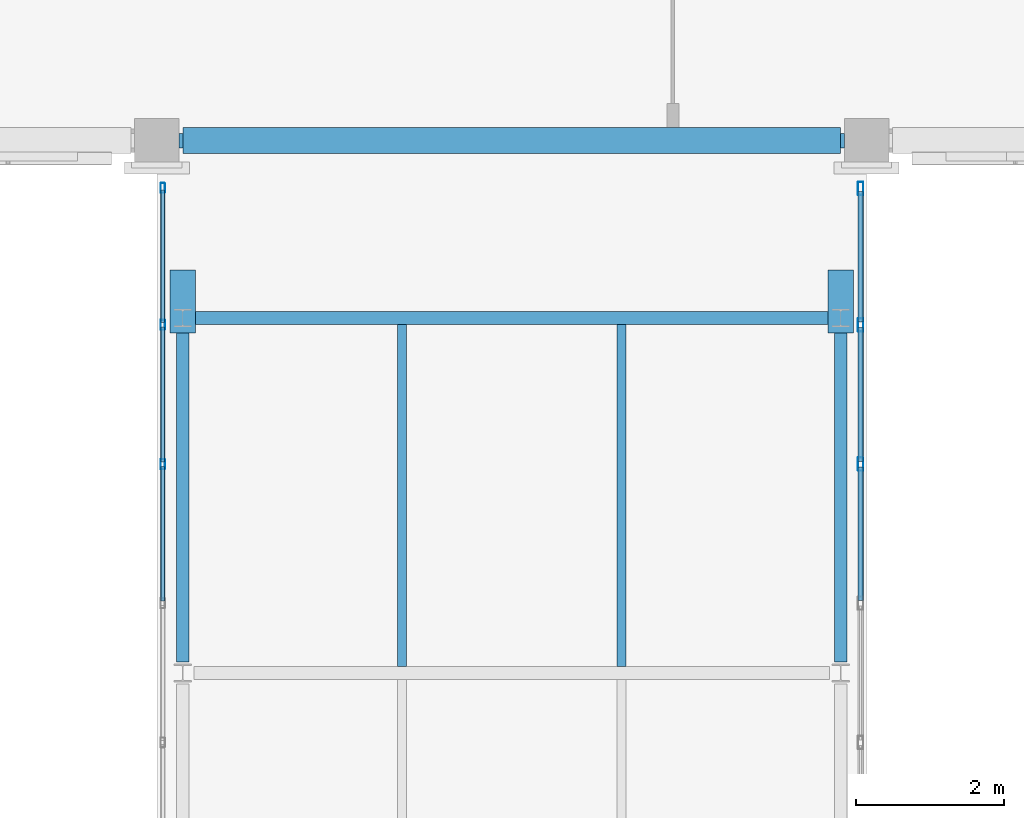
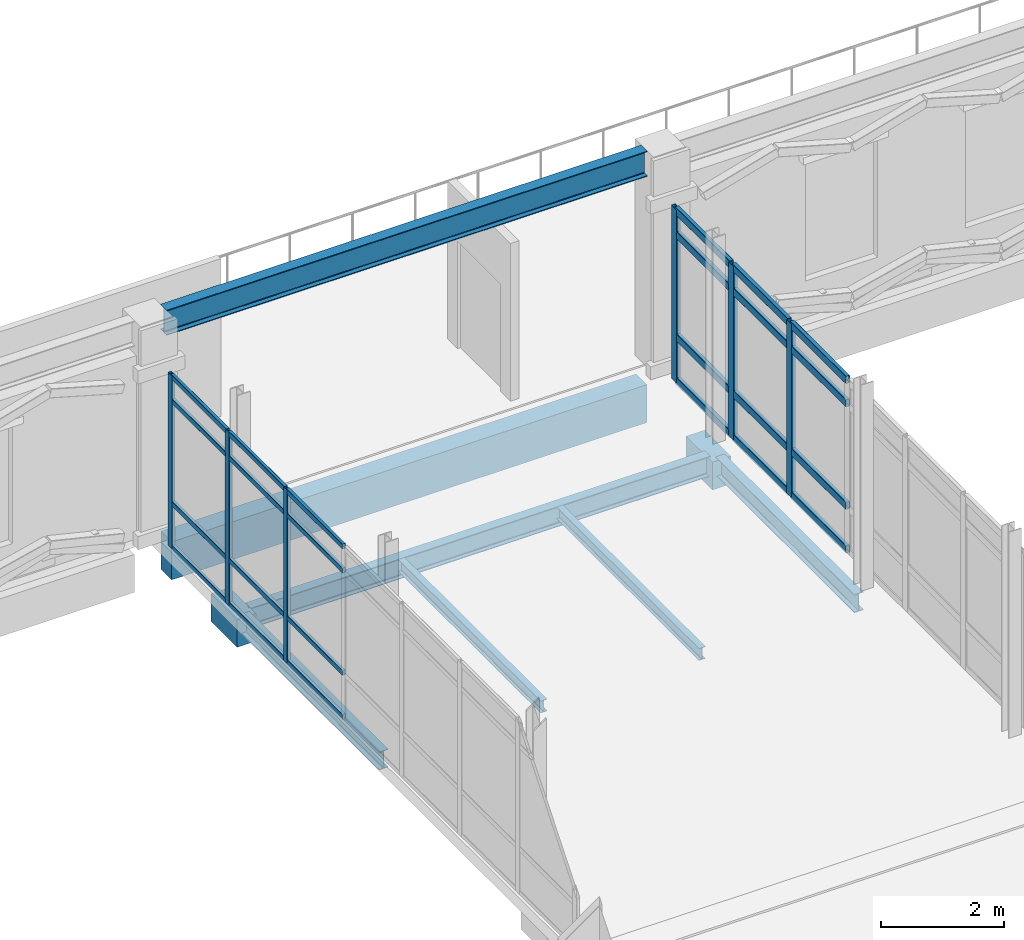
# One storey, part 112 of 180: 30 members, 9 beams, 2 elements without a shape of their own.
"""IFC4 building model written with IfcOpenShell, lengths in metres."""

import ifcopenshell
import ifcopenshell.guid

model = None  # the IFC model being written
_history = None  # IfcOwnerHistory: only IFC2X3 demands one
_inside = {}  # id of a spatial element -> (the spatial element, [elements in it])
_under = {}  # id of a project, library or spatial element -> (it, [spatial elements below it])
_declared = {}  # id of a project -> (the project, [libraries it declares])
_typed = {}  # id of a type object -> (the type object, [elements of that type])
_made_of = {}  # id of a material, layer set ... -> (it, [elements and type objects made of it])


def new_model(schema):
    """Start an empty IFC model of exactly this schema.

    Asked for "IFC4X3", IfcOpenShell would pick the latest addendum, in which some entities
    have other attributes; the version numbers below select the first issue.
    IFC2X3 requires an IfcOwnerHistory on every rooted entity: one is made here for all.
    """
    global model, _history
    if schema == "IFC4X3":
        model = ifcopenshell.file(schema_version=(4, 3, 0, 0))
    else:
        model = ifcopenshell.file(schema=schema)
    _inside.clear()
    _under.clear()
    _declared.clear()
    _typed.clear()
    _made_of.clear()
    _history = None
    if model.schema == "IFC2X3":
        org = make("IfcOrganization", Name="unknown")
        user = make(
            "IfcPersonAndOrganization",
            ThePerson=make("IfcPerson", FamilyName="unknown"),
            TheOrganization=org,
        )
        app = make(
            "IfcApplication",
            ApplicationDeveloper=org,
            Version="unknown",
            ApplicationFullName="unknown",
            ApplicationIdentifier="unknown",
        )
        _history = make(
            "IfcOwnerHistory",
            OwningUser=user,
            OwningApplication=app,
            ChangeAction="ADDED",
            CreationDate=0,
        )
    return model


def make(cls, **values):
    """One entity of the class cls with the attributes given. An attribute that is None is left unset."""
    return model.create_entity(
        cls, **{name: value for name, value in values.items() if value is not None}
    )


def rooted(cls, **values):
    """An entity with a GlobalId (a new one), such as an element, a storey or a relation."""
    return make(cls, GlobalId=ifcopenshell.guid.new(), OwnerHistory=_history, **values)


def si_unit(unit_type, name, prefix=None):
    """IfcSIUnit, for example si_unit("LENGTHUNIT", "METRE", prefix="MILLI")."""
    return make("IfcSIUnit", UnitType=unit_type, Prefix=prefix, Name=name)


def assignment(units):
    """IfcUnitAssignment: the units of a project."""
    return None if units is None else make("IfcUnitAssignment", Units=units)


def point(xyz):
    """IfcCartesianPoint."""
    return None if xyz is None else make("IfcCartesianPoint", Coordinates=xyz)


def direction(xyz):
    """IfcDirection."""
    return None if xyz is None else make("IfcDirection", DirectionRatios=xyz)


def frame(location, z_axis=None, x_axis=None):
    """IfcAxis2Placement3D, a coordinate frame: its origin and axes. An axis left out is left unset."""
    return make(
        "IfcAxis2Placement3D",
        Location=point(location),
        Axis=direction(z_axis),
        RefDirection=direction(x_axis),
    )


def frame_2d(location, x_axis=None):
    """IfcAxis2Placement2D, a coordinate frame in the plane: its origin and x axis."""
    return make(
        "IfcAxis2Placement2D", Location=point(location), RefDirection=direction(x_axis)
    )


def origin():
    """The frame at (0, 0, 0) with its axes left unset."""
    return frame((0.0, 0.0, 0.0))


def origin_2d():
    """The frame at (0, 0) in the plane with its x axis left unset."""
    return frame_2d((0.0, 0.0))


def place(relative_to, where):
    """IfcLocalPlacement: puts the frame where relative to a parent placement (None: the world)."""
    return make(
        "IfcLocalPlacement", PlacementRelTo=relative_to, RelativePlacement=where
    )


def context(
    kind, dimensions, precision=None, world=None, true_north=None, identifier=None
):
    """IfcGeometricRepresentationContext, for example the 3D "Model" context."""
    return make(
        "IfcGeometricRepresentationContext",
        ContextIdentifier=identifier,
        ContextType=kind,
        CoordinateSpaceDimension=dimensions,
        Precision=precision,
        WorldCoordinateSystem=world,
        TrueNorth=true_north,
    )


def subcontext(parent, identifier, kind, view, scale=None):
    """IfcGeometricRepresentationSubContext, for example "Body" below "Model"."""
    return make(
        "IfcGeometricRepresentationSubContext",
        ContextIdentifier=identifier,
        ContextType=kind,
        ParentContext=parent,
        TargetScale=scale,
        TargetView=view,
    )


def project(units=None, contexts=None):
    """IfcProject with its units and contexts."""
    return rooted(
        "IfcProject",
        Name="project",
        RepresentationContexts=contexts,
        UnitsInContext=assignment(units),
    )


def spatial(cls, under=None, at=None, **own):
    """A site, building, storey or space (cls), placed at a placement, below another one or the project."""
    s = rooted(cls, ObjectPlacement=at, **own)
    if under is not None:
        _under.setdefault(under.id(), (under, []))[1].append(s)
    return s


def profile(cls, at=None, kind="AREA", **sizes):
    """A parametric profile (cls). Its sizes go by their IFC names, for example OverallWidth=200.0."""
    return make(cls, ProfileType=kind, Position=at, **sizes)


def rectangle(**sizes):
    """IfcRectangleProfileDef."""
    return profile("IfcRectangleProfileDef", **sizes)


def hollow_rectangle(**sizes):
    """IfcRectangleHollowProfileDef."""
    return profile("IfcRectangleHollowProfileDef", **sizes)


def i_section(**sizes):
    """IfcIShapeProfileDef."""
    return profile("IfcIShapeProfileDef", **sizes)


def extrude(swept, where, along, depth):
    """IfcExtrudedAreaSolid: the profile swept, set in the frame where, extruded along a direction by depth."""
    return make(
        "IfcExtrudedAreaSolid",
        SweptArea=swept,
        Position=where,
        ExtrudedDirection=direction(along),
        Depth=depth,
    )


def shape(context_of_items, identifier, shape_type, items):
    """IfcShapeRepresentation: the items that make up one representation, for example the "Body"."""
    return make(
        "IfcShapeRepresentation",
        ContextOfItems=context_of_items,
        RepresentationIdentifier=identifier,
        RepresentationType=shape_type,
        Items=items,
    )


def material(Name=None, Category=None):
    """IfcMaterial."""
    return make("IfcMaterial", Name=Name, Category=Category)


def layer(
    of_material, thickness, ventilated=None, Name=None, Category=None, Priority=None
):
    """IfcMaterialLayer: one layer of a wall or slab, of a material (None: an air gap)."""
    return make(
        "IfcMaterialLayer",
        Material=of_material,
        LayerThickness=thickness,
        IsVentilated=ventilated,
        Name=Name,
        Category=Category,
        Priority=Priority,
    )


def layer_set(layers, Name=None):
    """IfcMaterialLayerSet."""
    return make("IfcMaterialLayerSet", MaterialLayers=layers, LayerSetName=Name)


def material_profile(
    of_material, cross_section, Name=None, Category=None, Priority=None
):
    """IfcMaterialProfile: a cross section and its material."""
    return make(
        "IfcMaterialProfile",
        Name=Name,
        Material=of_material,
        Profile=cross_section,
        Priority=Priority,
        Category=Category,
    )


def profile_set(profiles, Name=None, composite=None):
    """IfcMaterialProfileSet."""
    return make(
        "IfcMaterialProfileSet",
        Name=Name,
        MaterialProfiles=profiles,
        CompositeProfile=composite,
    )


def made_of(thing, what):
    """Note that an element or type object is made of a material, layer set ...; save() writes the relation."""
    if what is not None:
        _made_of.setdefault(what.id(), (what, []))[1].append(thing)
    return thing


def type_object(cls, material=None, **own):
    """A type object (cls), such as IfcWallType, which elements share."""
    return made_of(rooted(cls, **own), material)


def element(
    cls,
    number,
    at=None,
    inside=None,
    cuts=None,
    type_object=None,
    material=None,
    context=None,
    identifier="Body",
    shape_type=None,
    held_by="IfcProductDefinitionShape",
    body=None,
    shapes=None,
    **own,
):
    """One element of the class cls, such as IfcWall. Its Tag is "e" and its number.

    at: its placement. inside: the storey or other place that contains it. cuts: it is an
    opening in that element (IfcRelVoidsElement). A single representation is given by context,
    identifier, shape_type and body (its items); several are given by shapes. held_by: the class
    of the entity that holds the representations. save() writes the other relations.
    """
    e = rooted(cls, Tag="e%d" % number, ObjectPlacement=at, **own)
    if body is not None:
        shapes = [shape(context, identifier, shape_type, body)]
    if shapes is not None:
        e.Representation = make(held_by, Representations=shapes)
    if inside is not None:
        _inside.setdefault(inside.id(), (inside, []))[1].append(e)
    if cuts is not None:
        rooted(
            "IfcRelVoidsElement", RelatingBuildingElement=cuts, RelatedOpeningElement=e
        )
    if type_object is not None:
        _typed.setdefault(type_object.id(), (type_object, []))[1].append(e)
    return made_of(e, material)


def aggregate(whole, parts):
    """IfcRelAggregates: a whole, such as a stair, and the parts it consists of."""
    return rooted("IfcRelAggregates", RelatingObject=whole, RelatedObjects=parts)


def save(model, path):
    """Write the relations noted so far, then the file.

    IfcRelAggregates (storeys below a building ...), IfcRelContainedInSpatialStructure (elements
    in a storey), IfcRelDefinesByType, IfcRelAssociatesMaterial and IfcRelDeclares: one each for
    every whole, place, type object, material and project.
    """
    for whole, parts in _under.values():
        aggregate(whole, parts)
    for where, things in _inside.values():
        rooted(
            "IfcRelContainedInSpatialStructure",
            RelatedElements=things,
            RelatingStructure=where,
        )
    for kind, things in _typed.values():
        rooted("IfcRelDefinesByType", RelatedObjects=things, RelatingType=kind)
    for what, things in _made_of.values():
        rooted("IfcRelAssociatesMaterial", RelatedObjects=things, RelatingMaterial=what)
    for by, libraries in _declared.values():
        rooted("IfcRelDeclares", RelatingContext=by, RelatedDefinitions=libraries)
    model.write(path)


model = new_model("IFC4")

# Units and contexts
model_context = context("Model", 3, precision=1e-05, world=origin(), true_north=direction((0.0, 1.0)))
body_context = subcontext(model_context, "Body", "Model", "MODEL_VIEW")
ifc_project = project(units=[si_unit("LENGTHUNIT", "METRE"), si_unit("AREAUNIT", "SQUARE_METRE"), si_unit("VOLUMEUNIT", "CUBIC_METRE"), si_unit("PLANEANGLEUNIT", "RADIAN"), si_unit("MASSUNIT", "GRAM", prefix="KILO")], contexts=[model_context])

# Site, building, storey
site_placement = place(None, origin())
site = spatial("IfcSite", under=ifc_project, at=site_placement, CompositionType="ELEMENT")
building_placement = place(site_placement, origin())
building = spatial("IfcBuilding", under=site, at=building_placement, Name="Asteropetra Specialist Clinic", CompositionType="ELEMENT")
storey_placement = place(building_placement, frame((0.0, 0.0, 4.419921875)))
storey = spatial("IfcBuildingStorey", under=building, at=storey_placement, Name="L01", CompositionType="ELEMENT", Elevation=4.419921875)

# Beams
ifc_material_1 = material(Name="Concrete C35/45", Category="concrete")
ifc_material_profile_1 = material_profile(ifc_material_1, rectangle(XDim=0.35009765625, YDim=0.550048828125, at=origin_2d()), Name="RCB 350x550")
ifc_profile_set_1 = profile_set([ifc_material_profile_1], Name="Concrete C35/45")
beam_type_1 = type_object("IfcBeamType", Name="BM-RC350x550", PredefinedType="BEAM", material=ifc_profile_set_1)
for number, where, z_axis, x_axis, name in (
    (1, (115.550048828125, 74.199951171875, -0.559814453125), (0.0, 1.0, 0.0), (-1.0, 0.0, 0.0), "Bridge Bearing Seat Corbel CRB-26"),
    (2, (124.449951171875, 74.199951171875, -0.559814453125), (0.0, 1.0, 0.0), (-1.0, 0.0, 0.0), "Bridge Bearing Seat Corbel CRB-28"),
):
    element("IfcBeam", number, at=place(storey_placement, frame(where, z_axis=z_axis, x_axis=x_axis)), inside=storey, type_object=beam_type_1, Name=name, PredefinedType="BEAM", context=body_context, shape_type="SweptSolid", body=[
        extrude(rectangle(XDim=0.35009765625, YDim=0.550048828125, at=origin_2d()), origin(), (0.0, 0.0, 1.0), 0.85009765625),
    ])
ifc_material_2 = material(Name="Steel S355", Category="steel")
ifc_material_profile_2 = material_profile(ifc_material_2, i_section(OverallWidth=0.169921875, OverallDepth=0.360107421875, WebThickness=0.008056640625, FlangeThickness=0.0126953125, FilletRadius=0.01806640625, at=origin_2d()), Name="IPE 360")
ifc_profile_set_2 = profile_set([ifc_material_profile_2], Name="Steel S355")
beam_type_2 = type_object("IfcBeamType", Name="BM-STL-IPE360", PredefinedType="BEAM", material=ifc_profile_set_2)
for number, where, z_axis, x_axis, name in (
    (3, (115.550048828125, 69.75, -0.419921875), (0.0, 1.0, 0.0), (-1.0, 0.0, 0.0), "Beam BBMS4-0834"),
    (4, (124.449951171875, 69.75, -0.419921875), (0.0, 1.0, 0.0), (-1.0, 0.0, 0.0), "Beam BBMS4-0835"),
):
    element("IfcBeam", number, at=place(storey_placement, frame(where, z_axis=z_axis, x_axis=x_axis)), inside=storey, type_object=beam_type_2, Name=name, PredefinedType="BEAM", context=body_context, shape_type="SweptSolid", body=[
        extrude(i_section(OverallWidth=0.169921875, OverallDepth=0.360107421875, WebThickness=0.008056640625, FlangeThickness=0.0126953125, FilletRadius=0.01806640625, at=origin_2d()), origin(), (0.0, 0.0, 1.0), 4.5),
    ])
ifc_material_3 = material(Name="Steel S355", Category="steel")
ifc_material_profile_3 = material_profile(ifc_material_3, i_section(OverallWidth=0.179931640625, OverallDepth=0.39990234375, WebThickness=0.008544921875, FlangeThickness=0.013427734375, FilletRadius=0.02099609375, at=origin_2d()), Name="IPE 400")
ifc_profile_set_3 = profile_set([ifc_material_profile_3], Name="Steel S355")
beam_type_3 = type_object("IfcBeamType", Name="BM-STL-IPE400", PredefinedType="BEAM", material=ifc_profile_set_3)
beam_1_placement = place(storey_placement, frame((115.699951171875, 74.39990234375, -0.43994140625), z_axis=(1.0, 0.0, 0.0), x_axis=(0.0, 1.0, 0.0)))
element("IfcBeam", 5, at=beam_1_placement, inside=storey, type_object=beam_type_3, Name="Beam BBMS3-0829", PredefinedType="BEAM", context=body_context, shape_type="SweptSolid", body=[
    extrude(i_section(OverallWidth=0.179931640625, OverallDepth=0.39990234375, WebThickness=0.008544921875, FlangeThickness=0.013427734375, FilletRadius=0.02099609375, at=origin_2d()), origin(), (0.0, 0.0, 1.0), 8.60009765625),
])
ifc_material_4 = material(Name="Steel S355", Category="steel")
ifc_material_profile_4 = material_profile(ifc_material_4, i_section(OverallWidth=0.199951171875, OverallDepth=0.5, WebThickness=0.01025390625, FlangeThickness=0.01611328125, FilletRadius=0.02099609375, at=origin_2d()), Name="IPE 500")
ifc_profile_set_4 = profile_set([ifc_material_profile_4], Name="Steel S355")
beam_type_4 = type_object("IfcBeamType", Name="BM-STL-IPE500", PredefinedType="BEAM", material=ifc_profile_set_4)
beam_2_placement = place(storey_placement, frame((115.5, 76.800048828125, 4.030029296875), z_axis=(1.0, 0.0, 0.0), x_axis=(0.0, 1.0, 0.0)))
element("IfcBeam", 6, at=beam_2_placement, inside=storey, type_object=beam_type_4, Name="Hall Eave Girder EG-115-76", PredefinedType="BEAM", context=body_context, shape_type="SweptSolid", body=[
    extrude(i_section(OverallWidth=0.199951171875, OverallDepth=0.5, WebThickness=0.01025390625, FlangeThickness=0.01611328125, FilletRadius=0.02099609375, at=origin_2d()), origin(), (0.0, 0.0, 1.0), 9.0),
])

# Curtain wall, members
ifc_material_5 = material(Name="Aluminium and low-E glass", Category="aluminium")
ifc_layer_1 = layer(ifc_material_5, 0.135009765625)
ifc_layer_set_1 = layer_set([ifc_layer_1], Name="Aluminium and low-E glass")
curtain_wall_type_1 = type_object("IfcCurtainWallType", Name="CW-SYS-12", PredefinedType="USERDEFINED", material=ifc_layer_set_1)
curtain_wall_1_placement = place(storey_placement, origin())
curtain_wall_1 = element("IfcCurtainWall", 7, at=curtain_wall_1_placement, inside=storey, type_object=curtain_wall_type_1, Name="Curtain Wall CW-119", ObjectType="STICK GLAZED COLONNADE", PredefinedType="USERDEFINED")
ifc_material_6 = material(Name="Aluminium 6063-T6", Category="aluminium")
ifc_material_profile_5 = material_profile(ifc_material_6, hollow_rectangle(XDim=0.06005859375, YDim=0.135009765625, WallThickness=0.00341796875, InnerFilletRadius=0.00341796875, OuterFilletRadius=0.007080078125, at=origin_2d()), Name="MUL 135x60x3.5")
ifc_profile_set_5 = profile_set([ifc_material_profile_5], Name="Aluminium 6063-T6")
member_type_1 = type_object("IfcMemberType", Name="CWM-135x60", PredefinedType="MULLION", material=ifc_profile_set_5)
member_1_placement = place(storey_placement, frame((115.280029296875, 72.42431640625, 0.0), z_axis=(0.0, 0.0, 1.0), x_axis=(-1.0, 0.0, 0.0)))
member_1 = element("IfcMember", 8, at=member_1_placement, type_object=member_type_1, Name="CW-119 mullion 6", PredefinedType="MULLION", context=body_context, shape_type="SweptSolid", body=[
    extrude(hollow_rectangle(XDim=0.06005859375, YDim=0.135009765625, WallThickness=0.00341796875, InnerFilletRadius=0.00341796875, OuterFilletRadius=0.007080078125, at=origin_2d()), origin(), (0.0, 0.0, 1.0), 3.43017578125),
])
member_2_placement = place(storey_placement, frame((115.280029296875, 74.30712890625, 0.0), z_axis=(0.0, 0.0, 1.0), x_axis=(-1.0, 0.0, 0.0)))
member_2 = element("IfcMember", 9, at=member_2_placement, type_object=member_type_1, Name="CW-119 mullion 7", PredefinedType="MULLION", context=body_context, shape_type="SweptSolid", body=[
    extrude(hollow_rectangle(XDim=0.06005859375, YDim=0.135009765625, WallThickness=0.00341796875, InnerFilletRadius=0.00341796875, OuterFilletRadius=0.007080078125, at=origin_2d()), origin(), (0.0, 0.0, 1.0), 3.43017578125),
])
member_3_placement = place(storey_placement, frame((115.280029296875, 76.159912109375, 0.0), z_axis=(0.0, 0.0, 1.0), x_axis=(-1.0, 0.0, 0.0)))
member_3 = element("IfcMember", 10, at=member_3_placement, type_object=member_type_1, Name="CW-119 mullion 8", PredefinedType="MULLION", context=body_context, shape_type="SweptSolid", body=[
    extrude(hollow_rectangle(XDim=0.06005859375, YDim=0.135009765625, WallThickness=0.00341796875, InnerFilletRadius=0.00341796875, OuterFilletRadius=0.007080078125, at=origin_2d()), origin(), (0.0, 0.0, 1.0), 3.43017578125),
])

ifc_material_7 = material(Name="Aluminium and low-E glass", Category="aluminium")
ifc_layer_2 = layer(ifc_material_7, 0.179931640625)
ifc_layer_set_2 = layer_set([ifc_layer_2], Name="Aluminium and low-E glass")
curtain_wall_type_2 = type_object("IfcCurtainWallType", Name="CW-SYS-01", PredefinedType="USERDEFINED", material=ifc_layer_set_2)
curtain_wall_2_placement = place(storey_placement, origin())
curtain_wall_2 = element("IfcCurtainWall", 11, at=curtain_wall_2_placement, inside=storey, type_object=curtain_wall_type_2, Name="Curtain Wall CW-120", ObjectType="UNITISED CURTAIN WALL", PredefinedType="USERDEFINED")
ifc_material_8 = material(Name="Aluminium 6063-T6", Category="aluminium")
ifc_material_profile_6 = material_profile(ifc_material_8, hollow_rectangle(XDim=0.074951171875, YDim=0.179931640625, WallThickness=0.00390625, InnerFilletRadius=0.00390625, OuterFilletRadius=0.008056640625, at=origin_2d()), Name="MUL 180x75x4.0")
ifc_profile_set_6 = profile_set([ifc_material_profile_6], Name="Aluminium 6063-T6")
member_type_2 = type_object("IfcMemberType", Name="CWM-180x75", PredefinedType="MULLION", material=ifc_profile_set_6)
member_4_placement = place(storey_placement, frame((124.719970703125, 76.152587890625, 0.0), z_axis=(0.0, 0.0, 1.0), x_axis=(1.0, 0.0, 0.0)))
member_4 = element("IfcMember", 12, at=member_4_placement, type_object=member_type_2, Name="CW-120 mullion 1", PredefinedType="MULLION", context=body_context, shape_type="SweptSolid", body=[
    extrude(hollow_rectangle(XDim=0.074951171875, YDim=0.179931640625, WallThickness=0.00390625, InnerFilletRadius=0.00390625, OuterFilletRadius=0.008056640625, at=origin_2d()), origin(), (0.0, 0.0, 1.0), 3.43017578125),
])
member_5_placement = place(storey_placement, frame((124.719970703125, 74.30712890625, 0.0), z_axis=(0.0, 0.0, 1.0), x_axis=(1.0, 0.0, 0.0)))
member_5 = element("IfcMember", 13, at=member_5_placement, type_object=member_type_2, Name="CW-120 mullion 2", PredefinedType="MULLION", context=body_context, shape_type="SweptSolid", body=[
    extrude(hollow_rectangle(XDim=0.074951171875, YDim=0.179931640625, WallThickness=0.00390625, InnerFilletRadius=0.00390625, OuterFilletRadius=0.008056640625, at=origin_2d()), origin(), (0.0, 0.0, 1.0), 3.43017578125),
])
member_6_placement = place(storey_placement, frame((124.719970703125, 72.42431640625, 0.0), z_axis=(0.0, 0.0, 1.0), x_axis=(1.0, 0.0, 0.0)))
member_6 = element("IfcMember", 14, at=member_6_placement, type_object=member_type_2, Name="CW-120 mullion 3", PredefinedType="MULLION", context=body_context, shape_type="SweptSolid", body=[
    extrude(hollow_rectangle(XDim=0.074951171875, YDim=0.179931640625, WallThickness=0.00390625, InnerFilletRadius=0.00390625, OuterFilletRadius=0.008056640625, at=origin_2d()), origin(), (0.0, 0.0, 1.0), 3.43017578125),
])

# Member
ifc_material_9 = material(Name="Aluminium 6063-T6", Category="aluminium")
ifc_material_profile_7 = material_profile(ifc_material_9, hollow_rectangle(XDim=0.06005859375, YDim=0.10009765625, WallThickness=0.00341796875, InnerFilletRadius=0.00341796875, OuterFilletRadius=0.007080078125, at=origin_2d()), Name="TRN 100x60x3.5")
ifc_profile_set_7 = profile_set([ifc_material_profile_7], Name="Aluminium 6063-T6")
member_type_3 = type_object("IfcMemberType", Name="CWT-100x60", PredefinedType="USERDEFINED", material=ifc_profile_set_7)
member_7_placement = place(storey_placement, frame((115.280029296875, 70.571533203125, 0.030029296875), z_axis=(0.0, 1.0, 0.0), x_axis=(-1.0, 0.0, 0.0)))
member_7 = element("IfcMember", 15, at=member_7_placement, type_object=member_type_3, Name="CW-119 transom 5.1", ObjectType="TRANSOM", PredefinedType="USERDEFINED", context=body_context, shape_type="SweptSolid", body=[
    extrude(hollow_rectangle(XDim=0.06005859375, YDim=0.10009765625, WallThickness=0.00341796875, InnerFilletRadius=0.00341796875, OuterFilletRadius=0.007080078125, at=origin_2d()), origin(), (0.0, 0.0, 1.0), 1.82275390625),
])

member_8_placement = place(storey_placement, frame((115.280029296875, 70.571533203125, 0.900146484375), z_axis=(0.0, 1.0, 0.0), x_axis=(-1.0, 0.0, 0.0)))
member_8 = element("IfcMember", 16, at=member_8_placement, type_object=member_type_3, Name="CW-119 transom 5.2", ObjectType="TRANSOM", PredefinedType="USERDEFINED", context=body_context, shape_type="SweptSolid", body=[
    extrude(hollow_rectangle(XDim=0.06005859375, YDim=0.10009765625, WallThickness=0.00341796875, InnerFilletRadius=0.00341796875, OuterFilletRadius=0.007080078125, at=origin_2d()), origin(), (0.0, 0.0, 1.0), 1.82275390625),
])

member_9_placement = place(storey_placement, frame((115.280029296875, 70.571533203125, 2.93017578125), z_axis=(0.0, 1.0, 0.0), x_axis=(-1.0, 0.0, 0.0)))
member_9 = element("IfcMember", 17, at=member_9_placement, type_object=member_type_3, Name="CW-119 transom 5.3", ObjectType="TRANSOM", PredefinedType="USERDEFINED", context=body_context, shape_type="SweptSolid", body=[
    extrude(hollow_rectangle(XDim=0.06005859375, YDim=0.10009765625, WallThickness=0.00341796875, InnerFilletRadius=0.00341796875, OuterFilletRadius=0.007080078125, at=origin_2d()), origin(), (0.0, 0.0, 1.0), 1.82275390625),
])

member_10_placement = place(storey_placement, frame((115.280029296875, 70.571533203125, 3.400146484375), z_axis=(0.0, 1.0, 0.0), x_axis=(-1.0, 0.0, 0.0)))
member_10 = element("IfcMember", 18, at=member_10_placement, type_object=member_type_3, Name="CW-119 transom 5.4", ObjectType="TRANSOM", PredefinedType="USERDEFINED", context=body_context, shape_type="SweptSolid", body=[
    extrude(hollow_rectangle(XDim=0.06005859375, YDim=0.10009765625, WallThickness=0.00341796875, InnerFilletRadius=0.00341796875, OuterFilletRadius=0.007080078125, at=origin_2d()), origin(), (0.0, 0.0, 1.0), 1.82275390625),
])

member_11_placement = place(storey_placement, frame((115.280029296875, 72.454345703125, 0.030029296875), z_axis=(0.0, 1.0, 0.0), x_axis=(-1.0, 0.0, 0.0)))
member_11 = element("IfcMember", 19, at=member_11_placement, type_object=member_type_3, Name="CW-119 transom 6.1", ObjectType="TRANSOM", PredefinedType="USERDEFINED", context=body_context, shape_type="SweptSolid", body=[
    extrude(hollow_rectangle(XDim=0.06005859375, YDim=0.10009765625, WallThickness=0.00341796875, InnerFilletRadius=0.00341796875, OuterFilletRadius=0.007080078125, at=origin_2d()), origin(), (0.0, 0.0, 1.0), 1.82275390625),
])

member_12_placement = place(storey_placement, frame((115.280029296875, 72.454345703125, 0.900146484375), z_axis=(0.0, 1.0, 0.0), x_axis=(-1.0, 0.0, 0.0)))
member_12 = element("IfcMember", 20, at=member_12_placement, type_object=member_type_3, Name="CW-119 transom 6.2", ObjectType="TRANSOM", PredefinedType="USERDEFINED", context=body_context, shape_type="SweptSolid", body=[
    extrude(hollow_rectangle(XDim=0.06005859375, YDim=0.10009765625, WallThickness=0.00341796875, InnerFilletRadius=0.00341796875, OuterFilletRadius=0.007080078125, at=origin_2d()), origin(), (0.0, 0.0, 1.0), 1.82275390625),
])

member_13_placement = place(storey_placement, frame((115.280029296875, 72.454345703125, 2.93017578125), z_axis=(0.0, 1.0, 0.0), x_axis=(-1.0, 0.0, 0.0)))
member_13 = element("IfcMember", 21, at=member_13_placement, type_object=member_type_3, Name="CW-119 transom 6.3", ObjectType="TRANSOM", PredefinedType="USERDEFINED", context=body_context, shape_type="SweptSolid", body=[
    extrude(hollow_rectangle(XDim=0.06005859375, YDim=0.10009765625, WallThickness=0.00341796875, InnerFilletRadius=0.00341796875, OuterFilletRadius=0.007080078125, at=origin_2d()), origin(), (0.0, 0.0, 1.0), 1.82275390625),
])

member_14_placement = place(storey_placement, frame((115.280029296875, 72.454345703125, 3.400146484375), z_axis=(0.0, 1.0, 0.0), x_axis=(-1.0, 0.0, 0.0)))
member_14 = element("IfcMember", 22, at=member_14_placement, type_object=member_type_3, Name="CW-119 transom 6.4", ObjectType="TRANSOM", PredefinedType="USERDEFINED", context=body_context, shape_type="SweptSolid", body=[
    extrude(hollow_rectangle(XDim=0.06005859375, YDim=0.10009765625, WallThickness=0.00341796875, InnerFilletRadius=0.00341796875, OuterFilletRadius=0.007080078125, at=origin_2d()), origin(), (0.0, 0.0, 1.0), 1.82275390625),
])

member_15_placement = place(storey_placement, frame((115.280029296875, 74.337158203125, 0.030029296875), z_axis=(0.0, 1.0, 0.0), x_axis=(-1.0, 0.0, 0.0)))
member_15 = element("IfcMember", 23, at=member_15_placement, type_object=member_type_3, Name="CW-119 transom 7.1", ObjectType="TRANSOM", PredefinedType="USERDEFINED", context=body_context, shape_type="SweptSolid", body=[
    extrude(hollow_rectangle(XDim=0.06005859375, YDim=0.10009765625, WallThickness=0.00341796875, InnerFilletRadius=0.00341796875, OuterFilletRadius=0.007080078125, at=origin_2d()), origin(), (0.0, 0.0, 1.0), 1.792724609375),
])

member_16_placement = place(storey_placement, frame((115.280029296875, 74.337158203125, 0.900146484375), z_axis=(0.0, 1.0, 0.0), x_axis=(-1.0, 0.0, 0.0)))
member_16 = element("IfcMember", 24, at=member_16_placement, type_object=member_type_3, Name="CW-119 transom 7.2", ObjectType="TRANSOM", PredefinedType="USERDEFINED", context=body_context, shape_type="SweptSolid", body=[
    extrude(hollow_rectangle(XDim=0.06005859375, YDim=0.10009765625, WallThickness=0.00341796875, InnerFilletRadius=0.00341796875, OuterFilletRadius=0.007080078125, at=origin_2d()), origin(), (0.0, 0.0, 1.0), 1.792724609375),
])

member_17_placement = place(storey_placement, frame((115.280029296875, 74.337158203125, 2.93017578125), z_axis=(0.0, 1.0, 0.0), x_axis=(-1.0, 0.0, 0.0)))
member_17 = element("IfcMember", 25, at=member_17_placement, type_object=member_type_3, Name="CW-119 transom 7.3", ObjectType="TRANSOM", PredefinedType="USERDEFINED", context=body_context, shape_type="SweptSolid", body=[
    extrude(hollow_rectangle(XDim=0.06005859375, YDim=0.10009765625, WallThickness=0.00341796875, InnerFilletRadius=0.00341796875, OuterFilletRadius=0.007080078125, at=origin_2d()), origin(), (0.0, 0.0, 1.0), 1.792724609375),
])

member_18_placement = place(storey_placement, frame((115.280029296875, 74.337158203125, 3.400146484375), z_axis=(0.0, 1.0, 0.0), x_axis=(-1.0, 0.0, 0.0)))
member_18 = element("IfcMember", 26, at=member_18_placement, type_object=member_type_3, Name="CW-119 transom 7.4", ObjectType="TRANSOM", PredefinedType="USERDEFINED", context=body_context, shape_type="SweptSolid", body=[
    extrude(hollow_rectangle(XDim=0.06005859375, YDim=0.10009765625, WallThickness=0.00341796875, InnerFilletRadius=0.00341796875, OuterFilletRadius=0.007080078125, at=origin_2d()), origin(), (0.0, 0.0, 1.0), 1.792724609375),
])

aggregate(curtain_wall_1, [member_1, member_2, member_3, member_7, member_8, member_9, member_10, member_11, member_12, member_13, member_14, member_15, member_16, member_17, member_18])

ifc_material_10 = material(Name="Aluminium 6063-T6", Category="aluminium")
ifc_material_profile_8 = material_profile(ifc_material_10, hollow_rectangle(XDim=0.074951171875, YDim=0.14990234375, WallThickness=0.00390625, InnerFilletRadius=0.00390625, OuterFilletRadius=0.008056640625, at=origin_2d()), Name="TRN 150x75x4.0")
ifc_profile_set_8 = profile_set([ifc_material_profile_8], Name="Aluminium 6063-T6")
member_type_4 = type_object("IfcMemberType", Name="CWT-150x75", PredefinedType="USERDEFINED", material=ifc_profile_set_8)
member_19_placement = place(storey_placement, frame((124.719970703125, 76.114990234375, 0.03759765625), z_axis=(0.0, -1.0, 0.0), x_axis=(1.0, 0.0, 0.0)))
member_19 = element("IfcMember", 27, at=member_19_placement, type_object=member_type_4, Name="CW-120 transom 1.1", ObjectType="TRANSOM", PredefinedType="USERDEFINED", context=body_context, shape_type="SweptSolid", body=[
    extrude(hollow_rectangle(XDim=0.074951171875, YDim=0.14990234375, WallThickness=0.00390625, InnerFilletRadius=0.00390625, OuterFilletRadius=0.008056640625, at=origin_2d()), origin(), (0.0, 0.0, 1.0), 1.770263671875),
])

member_20_placement = place(storey_placement, frame((124.719970703125, 76.114990234375, 0.900146484375), z_axis=(0.0, -1.0, 0.0), x_axis=(1.0, 0.0, 0.0)))
member_20 = element("IfcMember", 28, at=member_20_placement, type_object=member_type_4, Name="CW-120 transom 1.2", ObjectType="TRANSOM", PredefinedType="USERDEFINED", context=body_context, shape_type="SweptSolid", body=[
    extrude(hollow_rectangle(XDim=0.074951171875, YDim=0.14990234375, WallThickness=0.00390625, InnerFilletRadius=0.00390625, OuterFilletRadius=0.008056640625, at=origin_2d()), origin(), (0.0, 0.0, 1.0), 1.770263671875),
])

member_21_placement = place(storey_placement, frame((124.719970703125, 76.114990234375, 2.93017578125), z_axis=(0.0, -1.0, 0.0), x_axis=(1.0, 0.0, 0.0)))
member_21 = element("IfcMember", 29, at=member_21_placement, type_object=member_type_4, Name="CW-120 transom 1.3", ObjectType="TRANSOM", PredefinedType="USERDEFINED", context=body_context, shape_type="SweptSolid", body=[
    extrude(hollow_rectangle(XDim=0.074951171875, YDim=0.14990234375, WallThickness=0.00390625, InnerFilletRadius=0.00390625, OuterFilletRadius=0.008056640625, at=origin_2d()), origin(), (0.0, 0.0, 1.0), 1.770263671875),
])

member_22_placement = place(storey_placement, frame((124.719970703125, 76.114990234375, 3.392578125), z_axis=(0.0, -1.0, 0.0), x_axis=(1.0, 0.0, 0.0)))
member_22 = element("IfcMember", 30, at=member_22_placement, type_object=member_type_4, Name="CW-120 transom 1.4", ObjectType="TRANSOM", PredefinedType="USERDEFINED", context=body_context, shape_type="SweptSolid", body=[
    extrude(hollow_rectangle(XDim=0.074951171875, YDim=0.14990234375, WallThickness=0.00390625, InnerFilletRadius=0.00390625, OuterFilletRadius=0.008056640625, at=origin_2d()), origin(), (0.0, 0.0, 1.0), 1.770263671875),
])

member_23_placement = place(storey_placement, frame((124.719970703125, 74.26953125, 0.03759765625), z_axis=(0.0, -1.0, 0.0), x_axis=(1.0, 0.0, 0.0)))
member_23 = element("IfcMember", 31, at=member_23_placement, type_object=member_type_4, Name="CW-120 transom 2.1", ObjectType="TRANSOM", PredefinedType="USERDEFINED", context=body_context, shape_type="SweptSolid", body=[
    extrude(hollow_rectangle(XDim=0.074951171875, YDim=0.14990234375, WallThickness=0.00390625, InnerFilletRadius=0.00390625, OuterFilletRadius=0.008056640625, at=origin_2d()), origin(), (0.0, 0.0, 1.0), 1.807861328125),
])

member_24_placement = place(storey_placement, frame((124.719970703125, 74.26953125, 0.900146484375), z_axis=(0.0, -1.0, 0.0), x_axis=(1.0, 0.0, 0.0)))
member_24 = element("IfcMember", 32, at=member_24_placement, type_object=member_type_4, Name="CW-120 transom 2.2", ObjectType="TRANSOM", PredefinedType="USERDEFINED", context=body_context, shape_type="SweptSolid", body=[
    extrude(hollow_rectangle(XDim=0.074951171875, YDim=0.14990234375, WallThickness=0.00390625, InnerFilletRadius=0.00390625, OuterFilletRadius=0.008056640625, at=origin_2d()), origin(), (0.0, 0.0, 1.0), 1.807861328125),
])

member_25_placement = place(storey_placement, frame((124.719970703125, 74.26953125, 2.93017578125), z_axis=(0.0, -1.0, 0.0), x_axis=(1.0, 0.0, 0.0)))
member_25 = element("IfcMember", 33, at=member_25_placement, type_object=member_type_4, Name="CW-120 transom 2.3", ObjectType="TRANSOM", PredefinedType="USERDEFINED", context=body_context, shape_type="SweptSolid", body=[
    extrude(hollow_rectangle(XDim=0.074951171875, YDim=0.14990234375, WallThickness=0.00390625, InnerFilletRadius=0.00390625, OuterFilletRadius=0.008056640625, at=origin_2d()), origin(), (0.0, 0.0, 1.0), 1.807861328125),
])

member_26_placement = place(storey_placement, frame((124.719970703125, 74.26953125, 3.392578125), z_axis=(0.0, -1.0, 0.0), x_axis=(1.0, 0.0, 0.0)))
member_26 = element("IfcMember", 34, at=member_26_placement, type_object=member_type_4, Name="CW-120 transom 2.4", ObjectType="TRANSOM", PredefinedType="USERDEFINED", context=body_context, shape_type="SweptSolid", body=[
    extrude(hollow_rectangle(XDim=0.074951171875, YDim=0.14990234375, WallThickness=0.00390625, InnerFilletRadius=0.00390625, OuterFilletRadius=0.008056640625, at=origin_2d()), origin(), (0.0, 0.0, 1.0), 1.807861328125),
])

member_27_placement = place(storey_placement, frame((124.719970703125, 72.38671875, 0.03759765625), z_axis=(0.0, -1.0, 0.0), x_axis=(1.0, 0.0, 0.0)))
member_27 = element("IfcMember", 35, at=member_27_placement, type_object=member_type_4, Name="CW-120 transom 3.1", ObjectType="TRANSOM", PredefinedType="USERDEFINED", context=body_context, shape_type="SweptSolid", body=[
    extrude(hollow_rectangle(XDim=0.074951171875, YDim=0.14990234375, WallThickness=0.00390625, InnerFilletRadius=0.00390625, OuterFilletRadius=0.008056640625, at=origin_2d()), origin(), (0.0, 0.0, 1.0), 1.807861328125),
])

member_28_placement = place(storey_placement, frame((124.719970703125, 72.38671875, 0.900146484375), z_axis=(0.0, -1.0, 0.0), x_axis=(1.0, 0.0, 0.0)))
member_28 = element("IfcMember", 36, at=member_28_placement, type_object=member_type_4, Name="CW-120 transom 3.2", ObjectType="TRANSOM", PredefinedType="USERDEFINED", context=body_context, shape_type="SweptSolid", body=[
    extrude(hollow_rectangle(XDim=0.074951171875, YDim=0.14990234375, WallThickness=0.00390625, InnerFilletRadius=0.00390625, OuterFilletRadius=0.008056640625, at=origin_2d()), origin(), (0.0, 0.0, 1.0), 1.807861328125),
])

member_29_placement = place(storey_placement, frame((124.719970703125, 72.38671875, 2.93017578125), z_axis=(0.0, -1.0, 0.0), x_axis=(1.0, 0.0, 0.0)))
member_29 = element("IfcMember", 37, at=member_29_placement, type_object=member_type_4, Name="CW-120 transom 3.3", ObjectType="TRANSOM", PredefinedType="USERDEFINED", context=body_context, shape_type="SweptSolid", body=[
    extrude(hollow_rectangle(XDim=0.074951171875, YDim=0.14990234375, WallThickness=0.00390625, InnerFilletRadius=0.00390625, OuterFilletRadius=0.008056640625, at=origin_2d()), origin(), (0.0, 0.0, 1.0), 1.807861328125),
])

member_30_placement = place(storey_placement, frame((124.719970703125, 72.38671875, 3.392578125), z_axis=(0.0, -1.0, 0.0), x_axis=(1.0, 0.0, 0.0)))
member_30 = element("IfcMember", 38, at=member_30_placement, type_object=member_type_4, Name="CW-120 transom 3.4", ObjectType="TRANSOM", PredefinedType="USERDEFINED", context=body_context, shape_type="SweptSolid", body=[
    extrude(hollow_rectangle(XDim=0.074951171875, YDim=0.14990234375, WallThickness=0.00390625, InnerFilletRadius=0.00390625, OuterFilletRadius=0.008056640625, at=origin_2d()), origin(), (0.0, 0.0, 1.0), 1.807861328125),
])

aggregate(curtain_wall_2, [member_4, member_5, member_6, member_19, member_20, member_21, member_22, member_23, member_24, member_25, member_26, member_27, member_28, member_29, member_30])

# Beams
ifc_material_11 = material(Name="Steel S355", Category="steel")
ifc_material_profile_9 = material_profile(ifc_material_11, i_section(OverallWidth=0.1201171875, OverallDepth=0.239990234375, WebThickness=0.006103515625, FlangeThickness=0.009765625, FilletRadius=0.014892578125, at=origin_2d()), Name="IPE 240")
ifc_profile_set_9 = profile_set([ifc_material_profile_9], Name="Steel S355")
beam_type_5 = type_object("IfcBeamType", Name="JST-STL-IPE240", PredefinedType="JOIST", material=ifc_profile_set_9)
for number, where, z_axis, x_axis, name in (
    (39, (118.5166015625, 69.68994140625, -0.35986328125), (0.0, 1.0, 0.0), (-1.0, 0.0, 0.0), "Joist JJSTS1-0836"),
    (40, (121.4833984375, 69.68994140625, -0.35986328125), (0.0, 1.0, 0.0), (-1.0, 0.0, 0.0), "Joist JJSTS1-0837"),
):
    element("IfcBeam", number, at=place(storey_placement, frame(where, z_axis=z_axis, x_axis=x_axis)), inside=storey, type_object=beam_type_5, Name=name, PredefinedType="JOIST", context=body_context, shape_type="SweptSolid", body=[
        extrude(i_section(OverallWidth=0.1201171875, OverallDepth=0.239990234375, WebThickness=0.006103515625, FlangeThickness=0.009765625, FilletRadius=0.014892578125, at=origin_2d()), origin(), (0.0, 0.0, 1.0), 4.6201171875),
    ])
ifc_material_12 = material(Name="Concrete C35/45", Category="concrete")
ifc_material_profile_10 = material_profile(ifc_material_12, rectangle(XDim=0.35009765625, YDim=0.75, at=origin_2d()), Name="RCS 350x750")
ifc_profile_set_10 = profile_set([ifc_material_profile_10], Name="Concrete C35/45")
beam_type_6 = type_object("IfcBeamType", Name="SPN-RC350x750", PredefinedType="SPANDREL", material=ifc_profile_set_10)
beam_3_placement = place(storey_placement, frame((115.550048828125, 76.800048828125, -0.655029296875), z_axis=(1.0, 0.0, 0.0), x_axis=(0.0, 1.0, 0.0)))
element("IfcBeam", 41, at=beam_3_placement, inside=storey, type_object=beam_type_6, Name="Beam BSPN01-0568", PredefinedType="SPANDREL", context=body_context, shape_type="SweptSolid", body=[
    extrude(rectangle(XDim=0.35009765625, YDim=0.75, at=origin_2d()), origin(), (0.0, 0.0, 1.0), 8.89990234375),
])

save(model, "model.ifc")
